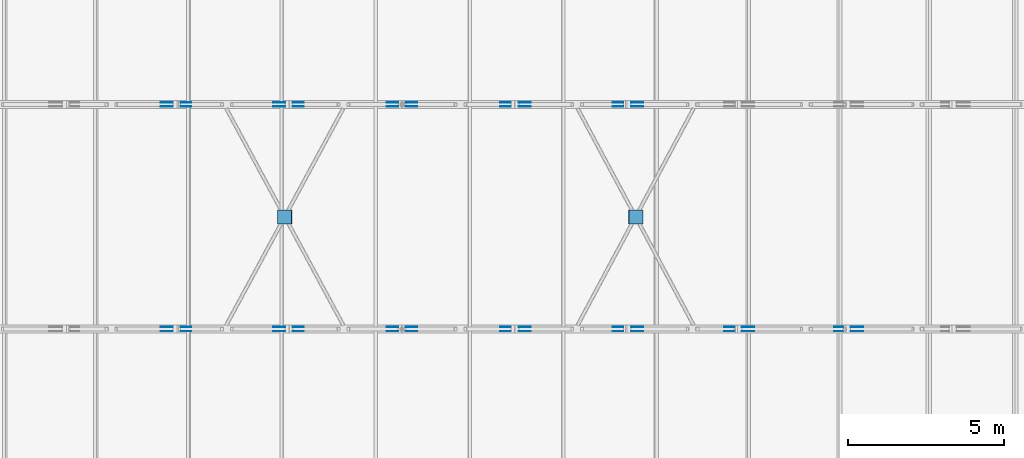
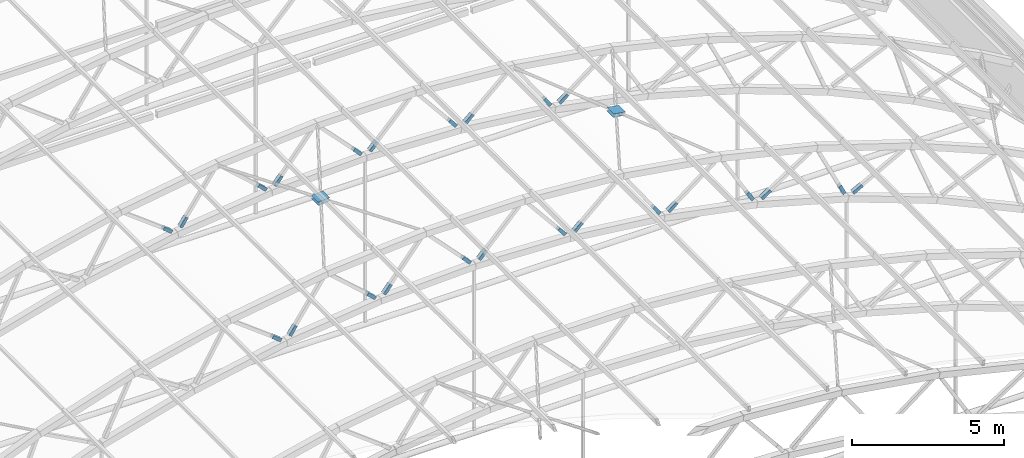
# One storey, part 113 of 127: 52 discrete accessories.
"""IFC4 building model written with IfcOpenShell, lengths in metres."""

from ifc_helpers import new_model, si_unit, direction, frame, origin, origin_2d, place, context, subcontext, project, spatial, rectangle, extrude, material, material_profile, profile_set, type_object, element, save


model = new_model("IFC4")

# Units and contexts
model_context = context("Model", 3, precision=1e-05, world=origin(), true_north=direction((0.0, 1.0)))
body_context = subcontext(model_context, "Body", "Model", "MODEL_VIEW")
ifc_project = project(units=[si_unit("LENGTHUNIT", "METRE"), si_unit("AREAUNIT", "SQUARE_METRE"), si_unit("VOLUMEUNIT", "CUBIC_METRE"), si_unit("PLANEANGLEUNIT", "RADIAN"), si_unit("MASSUNIT", "GRAM", prefix="KILO")], contexts=[model_context])

# Site, building, storey
site_placement = place(None, origin())
site = spatial("IfcSite", under=ifc_project, at=site_placement, CompositionType="ELEMENT")
building_placement = place(site_placement, origin())
building = spatial("IfcBuilding", under=site, at=building_placement, Name="Verrick Yard Athletic Hall", CompositionType="ELEMENT")
storey_placement = place(building_placement, frame((0.0, 0.0, 14.0)))
storey = spatial("IfcBuildingStorey", under=building, at=storey_placement, Name="L03", CompositionType="ELEMENT", Elevation=14.0)

# Discrete accessories
ifc_material = material(Name="Structural steel 350W (CSA G40.21)", Category="steel")
ifc_material_profile_1 = material_profile(ifc_material, rectangle(XDim=0.39990234375, YDim=0.126953125, at=origin_2d()), Name="Brace end cheek plate")
ifc_profile_set_1 = profile_set([ifc_material_profile_1], Name="Structural steel 350W (CSA G40.21)")
discrete_accessory_type_1 = type_object("IfcDiscreteAccessoryType", Name="Brace end cheek plate 400x127x12", PredefinedType="BRACKET", material=ifc_profile_set_1)
discrete_accessory_1_placement = place(storey_placement, frame((138.058349609375, 86.33642578125, 6.464111328125), z_axis=(0.0, -1.0, 0.0), x_axis=(-0.796193473644, 0.0, 0.605042108061)))
element("IfcDiscreteAccessory", 1, at=discrete_accessory_1_placement, inside=storey, type_object=discrete_accessory_type_1, Name="Truss web end plate TA3-10 1", PredefinedType="BRACKET", context=body_context, shape_type="SweptSolid", body=[
    extrude(rectangle(XDim=0.39990234375, YDim=0.126953125, at=origin_2d()), origin(), (0.0, 0.0, 1.0), 0.011962890625),
])
for number, where, z_axis, x_axis, name in (
    (2, (138.058349609375, 86.46337890625, 6.464111328125), (0.0, 1.0, 0.0), (-0.796193473644, 0.0, 0.605042108061), "Truss web end plate TA3-10 2"),
    (3, (138.671630859375, 86.46337890625, 6.56103515625), (0.0, 1.0, 0.0), (0.570674326681, 0.0, 0.821176480951), "Truss web end plate TA3-11 1"),
):
    element("IfcDiscreteAccessory", number, at=place(storey_placement, frame(where, z_axis=z_axis, x_axis=x_axis)), inside=storey, type_object=discrete_accessory_type_1, Name=name, PredefinedType="BRACKET", context=body_context, shape_type="SweptSolid", body=[
        extrude(rectangle(XDim=0.39990234375, YDim=0.126953125, at=origin_2d()), origin(), (0.0, 0.0, 1.0), 0.01220703125),
    ])
for number, where, z_axis, x_axis, name in (
    (4, (138.671630859375, 86.33642578125, 6.56103515625), (0.0, -1.0, 0.0), (0.570674326681, 0.0, 0.821176480951), "Truss web end plate TA3-11 2"),
    (5, (141.661865234375, 86.33642578125, 6.91455078125), (0.0, -1.0, 0.0), (-0.746352356768, 0.0, 0.665551019492), "Truss web end plate TA3-12 1"),
):
    element("IfcDiscreteAccessory", number, at=place(storey_placement, frame(where, z_axis=z_axis, x_axis=x_axis)), inside=storey, type_object=discrete_accessory_type_1, Name=name, PredefinedType="BRACKET", context=body_context, shape_type="SweptSolid", body=[
        extrude(rectangle(XDim=0.39990234375, YDim=0.126953125, at=origin_2d()), origin(), (0.0, 0.0, 1.0), 0.011962890625),
    ])
for number, where, z_axis, x_axis, name in (
    (6, (141.661865234375, 86.46337890625, 6.91455078125), (0.0, 1.0, 0.0), (-0.746352356768, 0.0, 0.665551019492), "Truss web end plate TA3-12 2"),
    (7, (142.28076171875, 86.46337890625, 6.963134765625), (0.0, 1.0, 0.0), (0.633245761862, 0.0, 0.773950776913), "Truss web end plate TA3-13 1"),
):
    element("IfcDiscreteAccessory", number, at=place(storey_placement, frame(where, z_axis=z_axis, x_axis=x_axis)), inside=storey, type_object=discrete_accessory_type_1, Name=name, PredefinedType="BRACKET", context=body_context, shape_type="SweptSolid", body=[
        extrude(rectangle(XDim=0.39990234375, YDim=0.126953125, at=origin_2d()), origin(), (0.0, 0.0, 1.0), 0.01220703125),
    ])
for number, where, z_axis, x_axis, name in (
    (8, (142.28076171875, 86.33642578125, 6.963134765625), (0.0, -1.0, 0.0), (0.633245761862, 0.0, 0.773950776913), "Truss web end plate TA3-13 2"),
    (9, (145.28955078125, 86.33642578125, 7.0810546875), (0.0, -1.0, 0.0), (-0.691925275628, 0.0, 0.721969121879), "Truss web end plate TA3-14 1"),
):
    element("IfcDiscreteAccessory", number, at=place(storey_placement, frame(where, z_axis=z_axis, x_axis=x_axis)), inside=storey, type_object=discrete_accessory_type_1, Name=name, PredefinedType="BRACKET", context=body_context, shape_type="SweptSolid", body=[
        extrude(rectangle(XDim=0.39990234375, YDim=0.126953125, at=origin_2d()), origin(), (0.0, 0.0, 1.0), 0.011962890625),
    ])
for number, where, z_axis, x_axis, name in (
    (10, (145.28955078125, 86.46337890625, 7.0810546875), (0.0, 1.0, 0.0), (-0.691925275628, 0.0, 0.721969121879), "Truss web end plate TA3-14 2"),
    (11, (145.910400390625, 86.46337890625, 7.0810546875), (0.0, 1.0, 0.0), (0.691925275628, 0.0, 0.721969121879), "Truss web end plate TA3-15 1"),
):
    element("IfcDiscreteAccessory", number, at=place(storey_placement, frame(where, z_axis=z_axis, x_axis=x_axis)), inside=storey, type_object=discrete_accessory_type_1, Name=name, PredefinedType="BRACKET", context=body_context, shape_type="SweptSolid", body=[
        extrude(rectangle(XDim=0.39990234375, YDim=0.126953125, at=origin_2d()), origin(), (0.0, 0.0, 1.0), 0.01220703125),
    ])
for number, where, z_axis, x_axis, name in (
    (12, (145.910400390625, 86.33642578125, 7.0810546875), (0.0, -1.0, 0.0), (0.691925275628, 0.0, 0.721969121879), "Truss web end plate TA3-15 2"),
    (13, (148.919189453125, 86.33642578125, 6.963134765625), (0.0, -1.0, 0.0), (-0.633245761862, 0.0, 0.773950776913), "Truss web end plate TA3-16 1"),
):
    element("IfcDiscreteAccessory", number, at=place(storey_placement, frame(where, z_axis=z_axis, x_axis=x_axis)), inside=storey, type_object=discrete_accessory_type_1, Name=name, PredefinedType="BRACKET", context=body_context, shape_type="SweptSolid", body=[
        extrude(rectangle(XDim=0.39990234375, YDim=0.126953125, at=origin_2d()), origin(), (0.0, 0.0, 1.0), 0.011962890625),
    ])
for number, where, z_axis, x_axis, name in (
    (14, (148.919189453125, 86.46337890625, 6.963134765625), (0.0, 1.0, 0.0), (-0.633245761862, 0.0, 0.773950776913), "Truss web end plate TA3-16 2"),
    (15, (149.5380859375, 86.46337890625, 6.91455078125), (0.0, 1.0, 0.0), (0.746352356768, 0.0, 0.665551019492), "Truss web end plate TA3-17 1"),
):
    element("IfcDiscreteAccessory", number, at=place(storey_placement, frame(where, z_axis=z_axis, x_axis=x_axis)), inside=storey, type_object=discrete_accessory_type_1, Name=name, PredefinedType="BRACKET", context=body_context, shape_type="SweptSolid", body=[
        extrude(rectangle(XDim=0.39990234375, YDim=0.126953125, at=origin_2d()), origin(), (0.0, 0.0, 1.0), 0.01220703125),
    ])
for number, where, z_axis, x_axis, name in (
    (16, (149.5380859375, 86.33642578125, 6.91455078125), (0.0, -1.0, 0.0), (0.746352356768, 0.0, 0.665551019492), "Truss web end plate TA3-17 2"),
    (17, (152.5283203125, 86.33642578125, 6.56103515625), (0.0, -1.0, 0.0), (-0.570674326681, 0.0, 0.821176480951), "Truss web end plate TA3-18 1"),
):
    element("IfcDiscreteAccessory", number, at=place(storey_placement, frame(where, z_axis=z_axis, x_axis=x_axis)), inside=storey, type_object=discrete_accessory_type_1, Name=name, PredefinedType="BRACKET", context=body_context, shape_type="SweptSolid", body=[
        extrude(rectangle(XDim=0.39990234375, YDim=0.126953125, at=origin_2d()), origin(), (0.0, 0.0, 1.0), 0.011962890625),
    ])
for number, where, z_axis, x_axis, name in (
    (18, (152.5283203125, 86.46337890625, 6.56103515625), (0.0, 1.0, 0.0), (-0.570674326681, 0.0, 0.821176480951), "Truss web end plate TA3-18 2"),
    (19, (153.1416015625, 86.46337890625, 6.464111328125), (0.0, 1.0, 0.0), (0.796193473644, 0.0, 0.605042108061), "Truss web end plate TA3-19 1"),
):
    element("IfcDiscreteAccessory", number, at=place(storey_placement, frame(where, z_axis=z_axis, x_axis=x_axis)), inside=storey, type_object=discrete_accessory_type_1, Name=name, PredefinedType="BRACKET", context=body_context, shape_type="SweptSolid", body=[
        extrude(rectangle(XDim=0.39990234375, YDim=0.126953125, at=origin_2d()), origin(), (0.0, 0.0, 1.0), 0.01220703125),
    ])
for number, where, z_axis, x_axis, name in (
    (20, (153.1416015625, 86.33642578125, 6.464111328125), (0.0, -1.0, 0.0), (0.796193473644, 0.0, 0.605042108061), "Truss web end plate TA3-19 2"),
    (21, (156.094970703125, 86.33642578125, 5.877685546875), (0.0, -1.0, 0.0), (-0.504596608522, 0.0, 0.863355235502), "Truss web end plate TA3-20 1"),
):
    element("IfcDiscreteAccessory", number, at=place(storey_placement, frame(where, z_axis=z_axis, x_axis=x_axis)), inside=storey, type_object=discrete_accessory_type_1, Name=name, PredefinedType="BRACKET", context=body_context, shape_type="SweptSolid", body=[
        extrude(rectangle(XDim=0.39990234375, YDim=0.126953125, at=origin_2d()), origin(), (0.0, 0.0, 1.0), 0.011962890625),
    ])
for number, where, z_axis, x_axis, name in (
    (22, (156.094970703125, 86.46337890625, 5.877685546875), (0.0, 1.0, 0.0), (-0.504596608522, 0.0, 0.863355235502), "Truss web end plate TA3-20 2"),
    (23, (156.698974609375, 86.46337890625, 5.73291015625), (0.0, 1.0, 0.0), (0.841141186405, 0.0, 0.540815591984), "Truss web end plate TA3-21 1"),
):
    element("IfcDiscreteAccessory", number, at=place(storey_placement, frame(where, z_axis=z_axis, x_axis=x_axis)), inside=storey, type_object=discrete_accessory_type_1, Name=name, PredefinedType="BRACKET", context=body_context, shape_type="SweptSolid", body=[
        extrude(rectangle(XDim=0.39990234375, YDim=0.126953125, at=origin_2d()), origin(), (0.0, 0.0, 1.0), 0.01220703125),
    ])
for number, where, z_axis, x_axis, name in (
    (24, (156.698974609375, 86.33642578125, 5.73291015625), (0.0, -1.0, 0.0), (0.841141186405, 0.0, 0.540815591984), "Truss web end plate TA3-21 2"),
    (25, (159.59716796875, 86.33642578125, 4.9169921875), (0.0, -1.0, 0.0), (-0.435417263932, 0.0, 0.90022875219), "Truss web end plate TA3-22 1"),
):
    element("IfcDiscreteAccessory", number, at=place(storey_placement, frame(where, z_axis=z_axis, x_axis=x_axis)), inside=storey, type_object=discrete_accessory_type_1, Name=name, PredefinedType="BRACKET", context=body_context, shape_type="SweptSolid", body=[
        extrude(rectangle(XDim=0.39990234375, YDim=0.126953125, at=origin_2d()), origin(), (0.0, 0.0, 1.0), 0.011962890625),
    ])
for number, where, z_axis, x_axis, name in (
    (26, (159.59716796875, 86.46337890625, 4.9169921875), (0.0, 1.0, 0.0), (-0.435417263932, 0.0, 0.90022875219), "Truss web end plate TA3-22 2"),
    (27, (160.187744140625, 86.46337890625, 4.725341796875), (0.0, 1.0, 0.0), (0.880919955637, 0.0, 0.473265286876), "Truss web end plate TA3-23 1"),
):
    element("IfcDiscreteAccessory", number, at=place(storey_placement, frame(where, z_axis=z_axis, x_axis=x_axis)), inside=storey, type_object=discrete_accessory_type_1, Name=name, PredefinedType="BRACKET", context=body_context, shape_type="SweptSolid", body=[
        extrude(rectangle(XDim=0.39990234375, YDim=0.126953125, at=origin_2d()), origin(), (0.0, 0.0, 1.0), 0.01220703125),
    ])
discrete_accessory_2_placement = place(storey_placement, frame((160.187744140625, 86.33642578125, 4.725341796875), z_axis=(0.0, -1.0, 0.0), x_axis=(0.880919955637, 0.0, 0.473265286876)))
element("IfcDiscreteAccessory", 28, at=discrete_accessory_2_placement, inside=storey, type_object=discrete_accessory_type_1, Name="Truss web end plate TA3-23 2", PredefinedType="BRACKET", context=body_context, shape_type="SweptSolid", body=[
    extrude(rectangle(XDim=0.39990234375, YDim=0.126953125, at=origin_2d()), origin(), (0.0, 0.0, 1.0), 0.011962890625),
])
discrete_accessory_3_placement = place(storey_placement, frame((138.058349609375, 93.53662109375, 6.464111328125), z_axis=(0.0, -1.0, 0.0), x_axis=(-0.796193473644, 0.0, 0.605042108061)))
element("IfcDiscreteAccessory", 29, at=discrete_accessory_3_placement, inside=storey, type_object=discrete_accessory_type_1, Name="Truss web end plate TA4-10 1", PredefinedType="BRACKET", context=body_context, shape_type="SweptSolid", body=[
    extrude(rectangle(XDim=0.39990234375, YDim=0.126953125, at=origin_2d()), origin(), (0.0, 0.0, 1.0), 0.01220703125),
])
for number, where, z_axis, x_axis, name in (
    (30, (138.058349609375, 93.66357421875, 6.464111328125), (0.0, 1.0, 0.0), (-0.796193473644, 0.0, 0.605042108061), "Truss web end plate TA4-10 2"),
    (31, (138.671630859375, 93.66357421875, 6.56103515625), (0.0, 1.0, 0.0), (0.570674326681, 0.0, 0.821176480951), "Truss web end plate TA4-11 1"),
):
    element("IfcDiscreteAccessory", number, at=place(storey_placement, frame(where, z_axis=z_axis, x_axis=x_axis)), inside=storey, type_object=discrete_accessory_type_1, Name=name, PredefinedType="BRACKET", context=body_context, shape_type="SweptSolid", body=[
        extrude(rectangle(XDim=0.39990234375, YDim=0.126953125, at=origin_2d()), origin(), (0.0, 0.0, 1.0), 0.011962890625),
    ])
for number, where, z_axis, x_axis, name in (
    (32, (138.671630859375, 93.53662109375, 6.56103515625), (0.0, -1.0, 0.0), (0.570674326681, 0.0, 0.821176480951), "Truss web end plate TA4-11 2"),
    (33, (141.661865234375, 93.53662109375, 6.91455078125), (0.0, -1.0, 0.0), (-0.746352356768, 0.0, 0.665551019492), "Truss web end plate TA4-12 1"),
):
    element("IfcDiscreteAccessory", number, at=place(storey_placement, frame(where, z_axis=z_axis, x_axis=x_axis)), inside=storey, type_object=discrete_accessory_type_1, Name=name, PredefinedType="BRACKET", context=body_context, shape_type="SweptSolid", body=[
        extrude(rectangle(XDim=0.39990234375, YDim=0.126953125, at=origin_2d()), origin(), (0.0, 0.0, 1.0), 0.01220703125),
    ])
for number, where, z_axis, x_axis, name in (
    (34, (141.661865234375, 93.66357421875, 6.91455078125), (0.0, 1.0, 0.0), (-0.746352356768, 0.0, 0.665551019492), "Truss web end plate TA4-12 2"),
    (35, (142.28076171875, 93.66357421875, 6.963134765625), (0.0, 1.0, 0.0), (0.633245761862, 0.0, 0.773950776913), "Truss web end plate TA4-13 1"),
):
    element("IfcDiscreteAccessory", number, at=place(storey_placement, frame(where, z_axis=z_axis, x_axis=x_axis)), inside=storey, type_object=discrete_accessory_type_1, Name=name, PredefinedType="BRACKET", context=body_context, shape_type="SweptSolid", body=[
        extrude(rectangle(XDim=0.39990234375, YDim=0.126953125, at=origin_2d()), origin(), (0.0, 0.0, 1.0), 0.011962890625),
    ])
for number, where, z_axis, x_axis, name in (
    (36, (142.28076171875, 93.53662109375, 6.963134765625), (0.0, -1.0, 0.0), (0.633245761862, 0.0, 0.773950776913), "Truss web end plate TA4-13 2"),
    (37, (145.28955078125, 93.53662109375, 7.0810546875), (0.0, -1.0, 0.0), (-0.691925275628, 0.0, 0.721969121879), "Truss web end plate TA4-14 1"),
):
    element("IfcDiscreteAccessory", number, at=place(storey_placement, frame(where, z_axis=z_axis, x_axis=x_axis)), inside=storey, type_object=discrete_accessory_type_1, Name=name, PredefinedType="BRACKET", context=body_context, shape_type="SweptSolid", body=[
        extrude(rectangle(XDim=0.39990234375, YDim=0.126953125, at=origin_2d()), origin(), (0.0, 0.0, 1.0), 0.01220703125),
    ])
for number, where, z_axis, x_axis, name in (
    (38, (145.28955078125, 93.66357421875, 7.0810546875), (0.0, 1.0, 0.0), (-0.691925275628, 0.0, 0.721969121879), "Truss web end plate TA4-14 2"),
    (39, (145.910400390625, 93.66357421875, 7.0810546875), (0.0, 1.0, 0.0), (0.691925275628, 0.0, 0.721969121879), "Truss web end plate TA4-15 1"),
):
    element("IfcDiscreteAccessory", number, at=place(storey_placement, frame(where, z_axis=z_axis, x_axis=x_axis)), inside=storey, type_object=discrete_accessory_type_1, Name=name, PredefinedType="BRACKET", context=body_context, shape_type="SweptSolid", body=[
        extrude(rectangle(XDim=0.39990234375, YDim=0.126953125, at=origin_2d()), origin(), (0.0, 0.0, 1.0), 0.011962890625),
    ])
for number, where, z_axis, x_axis, name in (
    (40, (145.910400390625, 93.53662109375, 7.0810546875), (0.0, -1.0, 0.0), (0.691925275628, 0.0, 0.721969121879), "Truss web end plate TA4-15 2"),
    (41, (148.919189453125, 93.53662109375, 6.963134765625), (0.0, -1.0, 0.0), (-0.633245761862, 0.0, 0.773950776913), "Truss web end plate TA4-16 1"),
):
    element("IfcDiscreteAccessory", number, at=place(storey_placement, frame(where, z_axis=z_axis, x_axis=x_axis)), inside=storey, type_object=discrete_accessory_type_1, Name=name, PredefinedType="BRACKET", context=body_context, shape_type="SweptSolid", body=[
        extrude(rectangle(XDim=0.39990234375, YDim=0.126953125, at=origin_2d()), origin(), (0.0, 0.0, 1.0), 0.01220703125),
    ])
for number, where, z_axis, x_axis, name in (
    (42, (148.919189453125, 93.66357421875, 6.963134765625), (0.0, 1.0, 0.0), (-0.633245761862, 0.0, 0.773950776913), "Truss web end plate TA4-16 2"),
    (43, (149.5380859375, 93.66357421875, 6.91455078125), (0.0, 1.0, 0.0), (0.746352356768, 0.0, 0.665551019492), "Truss web end plate TA4-17 1"),
):
    element("IfcDiscreteAccessory", number, at=place(storey_placement, frame(where, z_axis=z_axis, x_axis=x_axis)), inside=storey, type_object=discrete_accessory_type_1, Name=name, PredefinedType="BRACKET", context=body_context, shape_type="SweptSolid", body=[
        extrude(rectangle(XDim=0.39990234375, YDim=0.126953125, at=origin_2d()), origin(), (0.0, 0.0, 1.0), 0.011962890625),
    ])
for number, where, z_axis, x_axis, name in (
    (44, (149.5380859375, 93.53662109375, 6.91455078125), (0.0, -1.0, 0.0), (0.746352356768, 0.0, 0.665551019492), "Truss web end plate TA4-17 2"),
    (45, (152.5283203125, 93.53662109375, 6.56103515625), (0.0, -1.0, 0.0), (-0.570674326681, 0.0, 0.821176480951), "Truss web end plate TA4-18 1"),
):
    element("IfcDiscreteAccessory", number, at=place(storey_placement, frame(where, z_axis=z_axis, x_axis=x_axis)), inside=storey, type_object=discrete_accessory_type_1, Name=name, PredefinedType="BRACKET", context=body_context, shape_type="SweptSolid", body=[
        extrude(rectangle(XDim=0.39990234375, YDim=0.126953125, at=origin_2d()), origin(), (0.0, 0.0, 1.0), 0.01220703125),
    ])
for number, where, z_axis, x_axis, name in (
    (46, (152.5283203125, 93.66357421875, 6.56103515625), (0.0, 1.0, 0.0), (-0.570674326681, 0.0, 0.821176480951), "Truss web end plate TA4-18 2"),
    (47, (153.1416015625, 93.66357421875, 6.464111328125), (0.0, 1.0, 0.0), (0.796193473644, 0.0, 0.605042108061), "Truss web end plate TA4-19 1"),
):
    element("IfcDiscreteAccessory", number, at=place(storey_placement, frame(where, z_axis=z_axis, x_axis=x_axis)), inside=storey, type_object=discrete_accessory_type_1, Name=name, PredefinedType="BRACKET", context=body_context, shape_type="SweptSolid", body=[
        extrude(rectangle(XDim=0.39990234375, YDim=0.126953125, at=origin_2d()), origin(), (0.0, 0.0, 1.0), 0.011962890625),
    ])
discrete_accessory_4_placement = place(storey_placement, frame((153.1416015625, 93.53662109375, 6.464111328125), z_axis=(0.0, -1.0, 0.0), x_axis=(0.796193473644, 0.0, 0.605042108061)))
element("IfcDiscreteAccessory", 48, at=discrete_accessory_4_placement, inside=storey, type_object=discrete_accessory_type_1, Name="Truss web end plate TA4-19 2", PredefinedType="BRACKET", context=body_context, shape_type="SweptSolid", body=[
    extrude(rectangle(XDim=0.39990234375, YDim=0.126953125, at=origin_2d()), origin(), (0.0, 0.0, 1.0), 0.01220703125),
])
ifc_material_profile_2 = material_profile(ifc_material, rectangle(XDim=0.449951171875, YDim=0.449951171875, at=origin_2d()), Name="Brace node plate")
ifc_profile_set_2 = profile_set([ifc_material_profile_2], Name="Structural steel 350W (CSA G40.21)")
discrete_accessory_type_2 = type_object("IfcDiscreteAccessoryType", Name="Brace node plate 450x450x12", PredefinedType="BRACKET", material=ifc_profile_set_2)
for number, where, z_axis, x_axis, name in (
    (49, (141.847412109375, 90.0, 8.515869140625), (0.081362009455, 0.0, -0.996684615823), (0.0, 1.0, 0.0), "Brace node plate A3-5 1"),
    (50, (141.83837890625, 90.0, 8.6298828125), (-0.081362009455, 0.0, 0.996684615823), (0.0, -1.0, 0.0), "Brace node plate A3-5 2"),
    (51, (153.08203125, 90.0, 8.0751953125), (-0.144306893072, 0.0, -0.989532981063), (0.0, -1.0, 0.0), "Brace node plate A3-8 1"),
    (52, (153.099853515625, 90.0, 8.188232421875), (0.164398987305, 0.0, 0.986393923832), (0.0, 1.0, 0.0), "Brace node plate A3-8 2"),
):
    element("IfcDiscreteAccessory", number, at=place(storey_placement, frame(where, z_axis=z_axis, x_axis=x_axis)), inside=storey, type_object=discrete_accessory_type_2, Name=name, PredefinedType="BRACKET", context=body_context, shape_type="SweptSolid", body=[
        extrude(rectangle(XDim=0.449951171875, YDim=0.449951171875, at=origin_2d()), origin(), (0.0, 0.0, 1.0), 0.011962890625),
    ])

save(model, "model.ifc")
